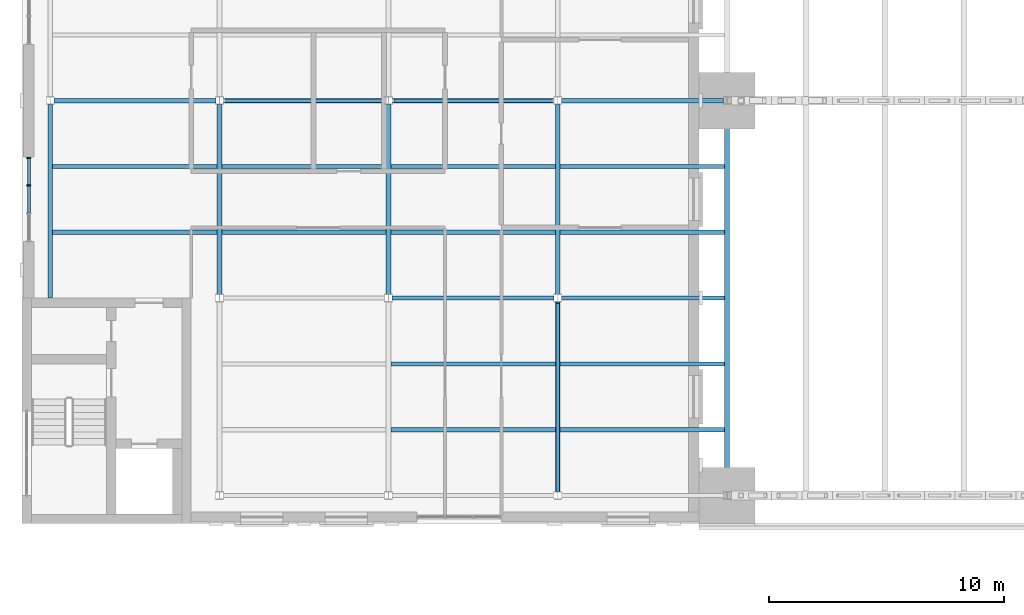
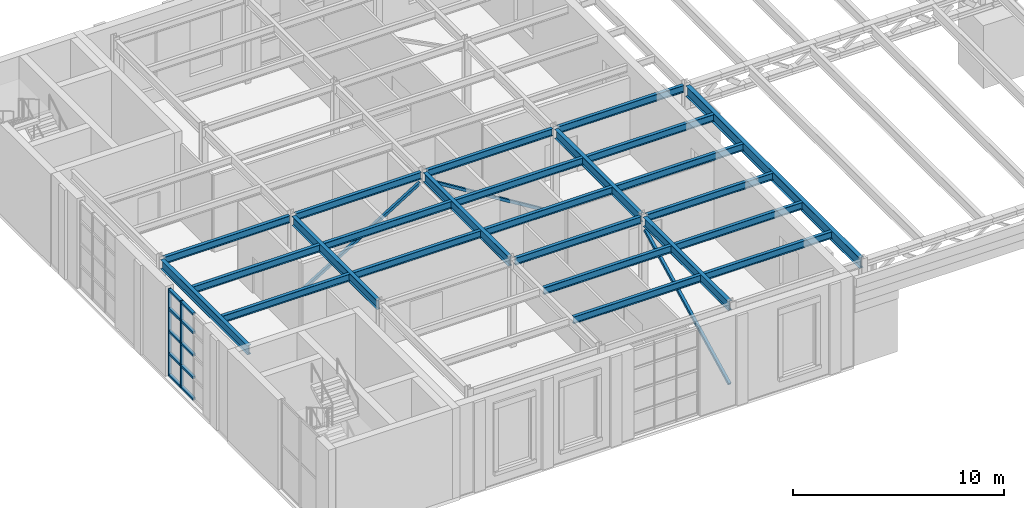
# One storey, part 16 of 93: 24 beams, 15 members, 1 element without a shape of its own.
"""IFC4 building model written with IfcOpenShell, lengths in metres."""

from ifc_helpers import new_model, si_unit, direction, frame, origin, origin_2d, place, context, subcontext, project, spatial, rectangle, hollow_rectangle, i_section, extrude, material, layer, layer_set, material_profile, profile_set, type_object, element, aggregate, save


model = new_model("IFC4")

# Units and contexts
model_context = context("Model", 3, precision=1e-05, world=origin(), true_north=direction((0.0, 1.0)))
body_context = subcontext(model_context, "Body", "Model", "MODEL_VIEW")
ifc_project = project(units=[si_unit("LENGTHUNIT", "METRE"), si_unit("AREAUNIT", "SQUARE_METRE"), si_unit("VOLUMEUNIT", "CUBIC_METRE"), si_unit("PLANEANGLEUNIT", "RADIAN"), si_unit("MASSUNIT", "GRAM", prefix="KILO")], contexts=[model_context])

# Site, building, storey
site_placement = place(None, origin())
site = spatial("IfcSite", under=ifc_project, at=site_placement, CompositionType="ELEMENT")
building_placement = place(site_placement, origin())
building = spatial("IfcBuilding", under=site, at=building_placement, Name="Verrick Yard Athletic Hall", CompositionType="ELEMENT")
storey_placement = place(building_placement, frame((0.0, 0.0, 8.800048828125)))
storey = spatial("IfcBuildingStorey", under=building, at=storey_placement, Name="L02", CompositionType="ELEMENT", Elevation=8.800048828125)

# Curtain wall, members
ifc_material_1 = material(Name="Anodised aluminium", Category="aluminium")
ifc_layer = layer(ifc_material_1, 0.199951171875)
ifc_layer_set = layer_set([ifc_layer], Name="Front glazing")
curtain_wall_type = type_object("IfcCurtainWallType", Name="Front glazing", PredefinedType="NOTDEFINED", material=ifc_layer_set)
curtain_wall_placement = place(storey_placement, origin())
curtain_wall = element("IfcCurtainWall", 1, at=curtain_wall_placement, inside=storey, type_object=curtain_wall_type, Name="ENVB-WW-L02-CW300", PredefinedType="NOTDEFINED")
ifc_material_profile_1 = material_profile(ifc_material_1, rectangle(XDim=0.159912109375, YDim=0.06005859375, at=origin_2d()), Name="CW mullion 60x160")
ifc_profile_set_1 = profile_set([ifc_material_profile_1], Name="Anodised aluminium")
member_type_1 = type_object("IfcMemberType", Name="Front glazing mullion 60x160", PredefinedType="MULLION", material=ifc_profile_set_1)
member_1_placement = place(storey_placement, frame((10.28125, 32.39990234375, 0.0), z_axis=(0.0, 0.0, 1.0), x_axis=(-1.0, 0.0, 0.0)))
member_1 = element("IfcMember", 2, at=member_1_placement, type_object=member_type_1, Name="ENVB-WW-L02-CW300/M02", PredefinedType="MULLION", context=body_context, shape_type="SweptSolid", body=[
    extrude(rectangle(XDim=0.159912109375, YDim=0.06005859375, at=origin_2d()), origin(), (0.0, 0.0, 1.0), 5.050048828125),
])
member_2_placement = place(storey_placement, frame((10.28125, 33.570068359375, 0.0), z_axis=(0.0, 0.0, 1.0), x_axis=(-1.0, 0.0, 0.0)))
member_2 = element("IfcMember", 3, at=member_2_placement, type_object=member_type_1, Name="ENVB-WW-L02-CW300/M03", PredefinedType="MULLION", context=body_context, shape_type="SweptSolid", body=[
    extrude(rectangle(XDim=0.159912109375, YDim=0.06005859375, at=origin_2d()), origin(), (0.0, 0.0, 1.0), 5.050048828125),
])
ifc_material_profile_2 = material_profile(ifc_material_1, rectangle(XDim=0.159912109375, YDim=0.1201171875, at=origin_2d()), Name="CW transom 160x120")
ifc_profile_set_2 = profile_set([ifc_material_profile_2], Name="Anodised aluminium")
member_type_2 = type_object("IfcMemberType", Name="Front glazing transom 160x120", PredefinedType="USERDEFINED", material=ifc_profile_set_2)
member_3_placement = place(storey_placement, frame((10.28125, 31.22998046875, 0.06005859375), z_axis=(0.0, 1.0, 0.0), x_axis=(-1.0, 0.0, 0.0)))
member_3 = element("IfcMember", 4, at=member_3_placement, type_object=member_type_2, Name="ENVB-WW-L02-CW300/T01-00", ObjectType="TRANSOM", PredefinedType="USERDEFINED", context=body_context, shape_type="SweptSolid", body=[
    extrude(rectangle(XDim=0.159912109375, YDim=0.1201171875, at=origin_2d()), origin(), (0.0, 0.0, 1.0), 1.14013671875),
])
member_4_placement = place(storey_placement, frame((10.28125, 31.22998046875, 1.300048828125), z_axis=(0.0, 1.0, 0.0), x_axis=(-1.0, 0.0, 0.0)))
member_4 = element("IfcMember", 5, at=member_4_placement, type_object=member_type_2, Name="ENVB-WW-L02-CW300/T01-01", ObjectType="TRANSOM", PredefinedType="USERDEFINED", context=body_context, shape_type="SweptSolid", body=[
    extrude(rectangle(XDim=0.159912109375, YDim=0.1201171875, at=origin_2d()), origin(), (0.0, 0.0, 1.0), 1.14013671875),
])
member_5_placement = place(storey_placement, frame((10.28125, 31.22998046875, 2.599853515625), z_axis=(0.0, 1.0, 0.0), x_axis=(-1.0, 0.0, 0.0)))
member_5 = element("IfcMember", 6, at=member_5_placement, type_object=member_type_2, Name="ENVB-WW-L02-CW300/T01-02", ObjectType="TRANSOM", PredefinedType="USERDEFINED", context=body_context, shape_type="SweptSolid", body=[
    extrude(rectangle(XDim=0.159912109375, YDim=0.1201171875, at=origin_2d()), origin(), (0.0, 0.0, 1.0), 1.14013671875),
])
member_6_placement = place(storey_placement, frame((10.28125, 31.22998046875, 3.89990234375), z_axis=(0.0, 1.0, 0.0), x_axis=(-1.0, 0.0, 0.0)))
member_6 = element("IfcMember", 7, at=member_6_placement, type_object=member_type_2, Name="ENVB-WW-L02-CW300/T01-03", ObjectType="TRANSOM", PredefinedType="USERDEFINED", context=body_context, shape_type="SweptSolid", body=[
    extrude(rectangle(XDim=0.159912109375, YDim=0.1201171875, at=origin_2d()), origin(), (0.0, 0.0, 1.0), 1.14013671875),
])
member_7_placement = place(storey_placement, frame((10.28125, 31.22998046875, 4.989990234375), z_axis=(0.0, 1.0, 0.0), x_axis=(-1.0, 0.0, 0.0)))
member_7 = element("IfcMember", 8, at=member_7_placement, type_object=member_type_2, Name="ENVB-WW-L02-CW300/T01-04", ObjectType="TRANSOM", PredefinedType="USERDEFINED", context=body_context, shape_type="SweptSolid", body=[
    extrude(rectangle(XDim=0.159912109375, YDim=0.1201171875, at=origin_2d()), origin(), (0.0, 0.0, 1.0), 1.14013671875),
])
member_8_placement = place(storey_placement, frame((10.28125, 32.429931640625, 0.06005859375), z_axis=(0.0, 1.0, 0.0), x_axis=(-1.0, 0.0, 0.0)))
member_8 = element("IfcMember", 9, at=member_8_placement, type_object=member_type_2, Name="ENVB-WW-L02-CW300/T02-00", ObjectType="TRANSOM", PredefinedType="USERDEFINED", context=body_context, shape_type="SweptSolid", body=[
    extrude(rectangle(XDim=0.159912109375, YDim=0.1201171875, at=origin_2d()), origin(), (0.0, 0.0, 1.0), 1.110107421875),
])
member_9_placement = place(storey_placement, frame((10.28125, 32.429931640625, 1.300048828125), z_axis=(0.0, 1.0, 0.0), x_axis=(-1.0, 0.0, 0.0)))
member_9 = element("IfcMember", 10, at=member_9_placement, type_object=member_type_2, Name="ENVB-WW-L02-CW300/T02-01", ObjectType="TRANSOM", PredefinedType="USERDEFINED", context=body_context, shape_type="SweptSolid", body=[
    extrude(rectangle(XDim=0.159912109375, YDim=0.1201171875, at=origin_2d()), origin(), (0.0, 0.0, 1.0), 1.110107421875),
])
member_10_placement = place(storey_placement, frame((10.28125, 32.429931640625, 2.599853515625), z_axis=(0.0, 1.0, 0.0), x_axis=(-1.0, 0.0, 0.0)))
member_10 = element("IfcMember", 11, at=member_10_placement, type_object=member_type_2, Name="ENVB-WW-L02-CW300/T02-02", ObjectType="TRANSOM", PredefinedType="USERDEFINED", context=body_context, shape_type="SweptSolid", body=[
    extrude(rectangle(XDim=0.159912109375, YDim=0.1201171875, at=origin_2d()), origin(), (0.0, 0.0, 1.0), 1.110107421875),
])
member_11_placement = place(storey_placement, frame((10.28125, 32.429931640625, 3.89990234375), z_axis=(0.0, 1.0, 0.0), x_axis=(-1.0, 0.0, 0.0)))
member_11 = element("IfcMember", 12, at=member_11_placement, type_object=member_type_2, Name="ENVB-WW-L02-CW300/T02-03", ObjectType="TRANSOM", PredefinedType="USERDEFINED", context=body_context, shape_type="SweptSolid", body=[
    extrude(rectangle(XDim=0.159912109375, YDim=0.1201171875, at=origin_2d()), origin(), (0.0, 0.0, 1.0), 1.110107421875),
])
member_12_placement = place(storey_placement, frame((10.28125, 32.429931640625, 4.989990234375), z_axis=(0.0, 1.0, 0.0), x_axis=(-1.0, 0.0, 0.0)))
member_12 = element("IfcMember", 13, at=member_12_placement, type_object=member_type_2, Name="ENVB-WW-L02-CW300/T02-04", ObjectType="TRANSOM", PredefinedType="USERDEFINED", context=body_context, shape_type="SweptSolid", body=[
    extrude(rectangle(XDim=0.159912109375, YDim=0.1201171875, at=origin_2d()), origin(), (0.0, 0.0, 1.0), 1.110107421875),
])
aggregate(curtain_wall, [member_1, member_2, member_3, member_4, member_5, member_6, member_7, member_8, member_9, member_10, member_11, member_12])

# Beam
ifc_material_2 = material(Name="Structural steel 350W (CSA G40.21)", Category="steel")
ifc_material_profile_3 = material_profile(ifc_material_2, i_section(OverallWidth=0.22802734375, OverallDepth=0.60791015625, WebThickness=0.01123046875, FlangeThickness=0.017333984375, at=origin_2d()), Name="W610x113")
ifc_profile_set_3 = profile_set([ifc_material_profile_3], Name="Structural steel 350W (CSA G40.21)")
beam_type_1 = type_object("IfcBeamType", Name="STR Secondary beam W610x113", PredefinedType="BEAM", material=ifc_profile_set_3)
beam_1_placement = place(storey_placement, frame((40.0, 19.361572265625, 4.745849609375), z_axis=(0.0, 1.0, 0.0), x_axis=(-1.0, 0.0, 0.0)))
element("IfcBeam", 14, at=beam_1_placement, inside=storey, type_object=beam_type_1, Name="STR-SB-X1A", PredefinedType="BEAM", context=body_context, shape_type="SweptSolid", body=[
    extrude(i_section(OverallWidth=0.22802734375, OverallDepth=0.60791015625, WebThickness=0.01123046875, FlangeThickness=0.017333984375, at=origin_2d()), origin(), (0.0, 0.0, 1.0), 16.476806640625),
])

# Members
ifc_material_3 = material(Name="Structural steel HSS Class C 350W (CSA G40.20/G40.21)", Category="steel")
ifc_material_profile_4 = material_profile(ifc_material_3, hollow_rectangle(XDim=0.15234375, YDim=0.15234375, WallThickness=0.009521484375, at=origin_2d()), Name="HSS152x152x9.5")
ifc_profile_set_4 = profile_set([ifc_material_profile_4], Name="Structural steel HSS Class C 350W (CSA G40.20/G40.21)")
member_type_3 = type_object("IfcMemberType", Name="STR Wing brace HSS152x152x9.5", PredefinedType="BRACE", material=ifc_profile_set_4)
for number, where, z_axis, x_axis, name in (
    (15, (18.593505859375, 36.0, 0.22412109375), (0.851534663879, 0.0, 0.52429830842), (0.0, 1.0, 0.0), "STR-BR-W1-L02"),
    (16, (25.793701171875, 36.0, 4.4189453125), (0.85152627549, 0.0, -0.524311932108), (0.0, 1.0, 0.0), "STR-BR-W2-L02"),
):
    element("IfcMember", number, at=place(storey_placement, frame(where, z_axis=z_axis, x_axis=x_axis)), inside=storey, type_object=member_type_3, Name=name, PredefinedType="BRACE", context=body_context, shape_type="SweptSolid", body=[
        extrude(hollow_rectangle(XDim=0.15234375, YDim=0.15234375, WallThickness=0.009521484375, at=origin_2d()), origin(), (0.0, 0.0, 1.0), 8.000732421875),
    ])
member_13_placement = place(storey_placement, frame((32.800048828125, 19.395263671875, 0.217041015625), z_axis=(0.0, 0.890929631237, 0.454141379071), x_axis=(-1.0, 0.0, 0.0)))
element("IfcMember", 17, at=member_13_placement, inside=storey, type_object=member_type_3, Name="STR-BR-W3-L02", PredefinedType="BRACE", context=body_context, shape_type="SweptSolid", body=[
    extrude(hollow_rectangle(XDim=0.15234375, YDim=0.15234375, WallThickness=0.009521484375, at=origin_2d()), origin(), (0.0, 0.0, 1.0), 8.989990234375),
])

# Beams
ifc_material_profile_5 = material_profile(ifc_material_2, i_section(OverallWidth=0.177978515625, OverallDepth=0.406982421875, WebThickness=0.0078125, FlangeThickness=0.0126953125, at=origin_2d()), Name="W410x60")
ifc_profile_set_5 = profile_set([ifc_material_profile_5], Name="Structural steel 350W (CSA G40.21)")
beam_type_2 = type_object("IfcBeamType", Name="STR Wing floor beam W410x60", PredefinedType="BEAM", material=ifc_profile_set_5)
beam_2_placement = place(storey_placement, frame((25.75439453125, 27.60009765625, 4.846435546875), z_axis=(1.0, 0.0, 0.0), x_axis=(0.0, 1.0, 0.0)))
element("IfcBeam", 18, at=beam_2_placement, inside=storey, type_object=beam_type_2, Name="STR-B-W140-27.6-2", PredefinedType="BEAM", context=body_context, shape_type="SweptSolid", body=[
    extrude(i_section(OverallWidth=0.177978515625, OverallDepth=0.406982421875, WebThickness=0.0078125, FlangeThickness=0.0126953125, at=origin_2d()), origin(), (0.0, 0.0, 1.0), 6.89111328125),
])
beam_3_placement = place(storey_placement, frame((32.95458984375, 27.60009765625, 4.846435546875), z_axis=(1.0, 0.0, 0.0), x_axis=(0.0, 1.0, 0.0)))
element("IfcBeam", 19, at=beam_3_placement, inside=storey, type_object=beam_type_2, Name="STR-B-W140-27.6-3", PredefinedType="BEAM", context=body_context, shape_type="SweptSolid", body=[
    extrude(i_section(OverallWidth=0.177978515625, OverallDepth=0.406982421875, WebThickness=0.0078125, FlangeThickness=0.0126953125, at=origin_2d()), origin(), (0.0, 0.0, 1.0), 6.931396484375),
])
for number, where, z_axis, x_axis, name in (
    (20, (11.3544921875, 36.0, 4.846435546875), (1.0, 0.0, 0.0), (0.0, 1.0, 0.0), "STR-B-W140-36-1"),
    (21, (18.554443359375, 36.0, 4.846435546875), (1.0, 0.0, 0.0), (0.0, 1.0, 0.0), "STR-B-W140-36-2"),
    (22, (25.75439453125, 36.0, 4.846435546875), (1.0, 0.0, 0.0), (0.0, 1.0, 0.0), "STR-B-W140-36-3"),
):
    element("IfcBeam", number, at=place(storey_placement, frame(where, z_axis=z_axis, x_axis=x_axis)), inside=storey, type_object=beam_type_2, Name=name, PredefinedType="BEAM", context=body_context, shape_type="SweptSolid", body=[
        extrude(i_section(OverallWidth=0.177978515625, OverallDepth=0.406982421875, WebThickness=0.0078125, FlangeThickness=0.0126953125, at=origin_2d()), origin(), (0.0, 0.0, 1.0), 6.89111328125),
    ])
beam_4_placement = place(storey_placement, frame((32.95458984375, 36.0, 4.846435546875), z_axis=(1.0, 0.0, 0.0), x_axis=(0.0, 1.0, 0.0)))
element("IfcBeam", 23, at=beam_4_placement, inside=storey, type_object=beam_type_2, Name="STR-B-W140-36-4", PredefinedType="BEAM", context=body_context, shape_type="SweptSolid", body=[
    extrude(i_section(OverallWidth=0.177978515625, OverallDepth=0.406982421875, WebThickness=0.0078125, FlangeThickness=0.0126953125, at=origin_2d()), origin(), (0.0, 0.0, 1.0), 6.890869140625),
])
beam_5_placement = place(storey_placement, frame((25.70458984375, 22.0, 4.846435546875), z_axis=(1.0, 0.0, 0.0), x_axis=(0.0, 1.0, 0.0)))
element("IfcBeam", 24, at=beam_5_placement, inside=storey, type_object=beam_type_2, Name="STR-B-W140-22-2", PredefinedType="BEAM", context=body_context, shape_type="SweptSolid", body=[
    extrude(i_section(OverallWidth=0.177978515625, OverallDepth=0.406982421875, WebThickness=0.0078125, FlangeThickness=0.0126953125, at=origin_2d()), origin(), (0.0, 0.0, 1.0), 6.990966796875),
])
beam_6_placement = place(storey_placement, frame((32.904541015625, 22.0, 4.846435546875), z_axis=(1.0, 0.0, 0.0), x_axis=(0.0, 1.0, 0.0)))
element("IfcBeam", 25, at=beam_6_placement, inside=storey, type_object=beam_type_2, Name="STR-B-W140-22-3", PredefinedType="BEAM", context=body_context, shape_type="SweptSolid", body=[
    extrude(i_section(OverallWidth=0.177978515625, OverallDepth=0.406982421875, WebThickness=0.0078125, FlangeThickness=0.0126953125, at=origin_2d()), origin(), (0.0, 0.0, 1.0), 6.9814453125),
])
beam_7_placement = place(storey_placement, frame((25.70458984375, 24.800048828125, 4.846435546875), z_axis=(1.0, 0.0, 0.0), x_axis=(0.0, 1.0, 0.0)))
element("IfcBeam", 26, at=beam_7_placement, inside=storey, type_object=beam_type_2, Name="STR-B-W140-24.8-2", PredefinedType="BEAM", context=body_context, shape_type="SweptSolid", body=[
    extrude(i_section(OverallWidth=0.177978515625, OverallDepth=0.406982421875, WebThickness=0.0078125, FlangeThickness=0.0126953125, at=origin_2d()), origin(), (0.0, 0.0, 1.0), 6.990966796875),
])
beam_8_placement = place(storey_placement, frame((32.904541015625, 24.800048828125, 4.846435546875), z_axis=(1.0, 0.0, 0.0), x_axis=(0.0, 1.0, 0.0)))
element("IfcBeam", 27, at=beam_8_placement, inside=storey, type_object=beam_type_2, Name="STR-B-W140-24.8-3", PredefinedType="BEAM", context=body_context, shape_type="SweptSolid", body=[
    extrude(i_section(OverallWidth=0.177978515625, OverallDepth=0.406982421875, WebThickness=0.0078125, FlangeThickness=0.0126953125, at=origin_2d()), origin(), (0.0, 0.0, 1.0), 6.9814453125),
])
beam_9_placement = place(storey_placement, frame((11.304443359375, 30.39990234375, 4.846435546875), z_axis=(1.0, 0.0, 0.0), x_axis=(0.0, 1.0, 0.0)))
element("IfcBeam", 28, at=beam_9_placement, inside=storey, type_object=beam_type_2, Name="STR-B-W140-30.4-1", PredefinedType="BEAM", context=body_context, shape_type="SweptSolid", body=[
    extrude(i_section(OverallWidth=0.177978515625, OverallDepth=0.406982421875, WebThickness=0.0078125, FlangeThickness=0.0126953125, at=origin_2d()), origin(), (0.0, 0.0, 1.0), 6.990966796875),
])
beam_10_placement = place(storey_placement, frame((18.50439453125, 30.39990234375, 4.846435546875), z_axis=(1.0, 0.0, 0.0), x_axis=(0.0, 1.0, 0.0)))
element("IfcBeam", 29, at=beam_10_placement, inside=storey, type_object=beam_type_2, Name="STR-B-W140-30.4-2", PredefinedType="BEAM", context=body_context, shape_type="SweptSolid", body=[
    extrude(i_section(OverallWidth=0.177978515625, OverallDepth=0.406982421875, WebThickness=0.0078125, FlangeThickness=0.0126953125, at=origin_2d()), origin(), (0.0, 0.0, 1.0), 6.9912109375),
])
beam_11_placement = place(storey_placement, frame((25.70458984375, 30.39990234375, 4.846435546875), z_axis=(1.0, 0.0, 0.0), x_axis=(0.0, 1.0, 0.0)))
element("IfcBeam", 30, at=beam_11_placement, inside=storey, type_object=beam_type_2, Name="STR-B-W140-30.4-3", PredefinedType="BEAM", context=body_context, shape_type="SweptSolid", body=[
    extrude(i_section(OverallWidth=0.177978515625, OverallDepth=0.406982421875, WebThickness=0.0078125, FlangeThickness=0.0126953125, at=origin_2d()), origin(), (0.0, 0.0, 1.0), 6.990966796875),
])
beam_12_placement = place(storey_placement, frame((32.904541015625, 30.39990234375, 4.846435546875), z_axis=(1.0, 0.0, 0.0), x_axis=(0.0, 1.0, 0.0)))
element("IfcBeam", 31, at=beam_12_placement, inside=storey, type_object=beam_type_2, Name="STR-B-W140-30.4-4", PredefinedType="BEAM", context=body_context, shape_type="SweptSolid", body=[
    extrude(i_section(OverallWidth=0.177978515625, OverallDepth=0.406982421875, WebThickness=0.0078125, FlangeThickness=0.0126953125, at=origin_2d()), origin(), (0.0, 0.0, 1.0), 6.9814453125),
])
beam_13_placement = place(storey_placement, frame((11.304443359375, 33.199951171875, 4.846435546875), z_axis=(1.0, 0.0, 0.0), x_axis=(0.0, 1.0, 0.0)))
element("IfcBeam", 32, at=beam_13_placement, inside=storey, type_object=beam_type_2, Name="STR-B-W140-33.2-1", PredefinedType="BEAM", context=body_context, shape_type="SweptSolid", body=[
    extrude(i_section(OverallWidth=0.177978515625, OverallDepth=0.406982421875, WebThickness=0.0078125, FlangeThickness=0.0126953125, at=origin_2d()), origin(), (0.0, 0.0, 1.0), 6.990966796875),
])
beam_14_placement = place(storey_placement, frame((18.50439453125, 33.199951171875, 4.846435546875), z_axis=(1.0, 0.0, 0.0), x_axis=(0.0, 1.0, 0.0)))
element("IfcBeam", 33, at=beam_14_placement, inside=storey, type_object=beam_type_2, Name="STR-B-W140-33.2-2", PredefinedType="BEAM", context=body_context, shape_type="SweptSolid", body=[
    extrude(i_section(OverallWidth=0.177978515625, OverallDepth=0.406982421875, WebThickness=0.0078125, FlangeThickness=0.0126953125, at=origin_2d()), origin(), (0.0, 0.0, 1.0), 6.9912109375),
])
beam_15_placement = place(storey_placement, frame((25.70458984375, 33.199951171875, 4.846435546875), z_axis=(1.0, 0.0, 0.0), x_axis=(0.0, 1.0, 0.0)))
element("IfcBeam", 34, at=beam_15_placement, inside=storey, type_object=beam_type_2, Name="STR-B-W140-33.2-3", PredefinedType="BEAM", context=body_context, shape_type="SweptSolid", body=[
    extrude(i_section(OverallWidth=0.177978515625, OverallDepth=0.406982421875, WebThickness=0.0078125, FlangeThickness=0.0126953125, at=origin_2d()), origin(), (0.0, 0.0, 1.0), 6.990966796875),
])
beam_16_placement = place(storey_placement, frame((32.904541015625, 33.199951171875, 4.846435546875), z_axis=(1.0, 0.0, 0.0), x_axis=(0.0, 1.0, 0.0)))
element("IfcBeam", 35, at=beam_16_placement, inside=storey, type_object=beam_type_2, Name="STR-B-W140-33.2-4", PredefinedType="BEAM", context=body_context, shape_type="SweptSolid", body=[
    extrude(i_section(OverallWidth=0.177978515625, OverallDepth=0.406982421875, WebThickness=0.0078125, FlangeThickness=0.0126953125, at=origin_2d()), origin(), (0.0, 0.0, 1.0), 6.9814453125),
])
ifc_material_profile_6 = material_profile(ifc_material_2, i_section(OverallWidth=0.208984375, OverallDepth=0.532958984375, WebThickness=0.01025390625, FlangeThickness=0.015625, at=origin_2d()), Name="W530x92")
ifc_profile_set_6 = profile_set([ifc_material_profile_6], Name="Structural steel 350W (CSA G40.21)")
beam_type_3 = type_object("IfcBeamType", Name="STR Wing girder W530x92", PredefinedType="BEAM", material=ifc_profile_set_6)
beam_17_placement = place(storey_placement, frame((11.199951171875, 27.60009765625, 4.783447265625), z_axis=(0.0, 1.0, 0.0), x_axis=(-1.0, 0.0, 0.0)))
element("IfcBeam", 36, at=beam_17_placement, inside=storey, type_object=beam_type_3, Name="STR-GB-W140-11.2-1", PredefinedType="BEAM", context=body_context, shape_type="SweptSolid", body=[
    extrude(i_section(OverallWidth=0.208984375, OverallDepth=0.532958984375, WebThickness=0.01025390625, FlangeThickness=0.015625, at=origin_2d()), origin(), (0.0, 0.0, 1.0), 8.23828125),
])
for number, where, z_axis, x_axis, name in (
    (37, (18.39990234375, 27.761474609375, 4.783447265625), (0.0, 1.0, 0.0), (-1.0, 0.0, 0.0), "STR-GB-W140-18.4-2"),
    (38, (25.60009765625, 27.761474609375, 4.783447265625), (0.0, 1.0, 0.0), (-1.0, 0.0, 0.0), "STR-GB-W140-25.6-2"),
    (39, (32.800048828125, 19.361572265625, 4.783447265625), (0.0, 1.0, 0.0), (-1.0, 0.0, 0.0), "STR-GB-W140-32.8-1"),
    (40, (32.800048828125, 27.761474609375, 4.783447265625), (0.0, 1.0, 0.0), (-1.0, 0.0, 0.0), "STR-GB-W140-32.8-2"),
):
    element("IfcBeam", number, at=place(storey_placement, frame(where, z_axis=z_axis, x_axis=x_axis)), inside=storey, type_object=beam_type_3, Name=name, PredefinedType="BEAM", context=body_context, shape_type="SweptSolid", body=[
        extrude(i_section(OverallWidth=0.208984375, OverallDepth=0.532958984375, WebThickness=0.01025390625, FlangeThickness=0.015625, at=origin_2d()), origin(), (0.0, 0.0, 1.0), 8.076904296875),
    ])

save(model, "model.ifc")
